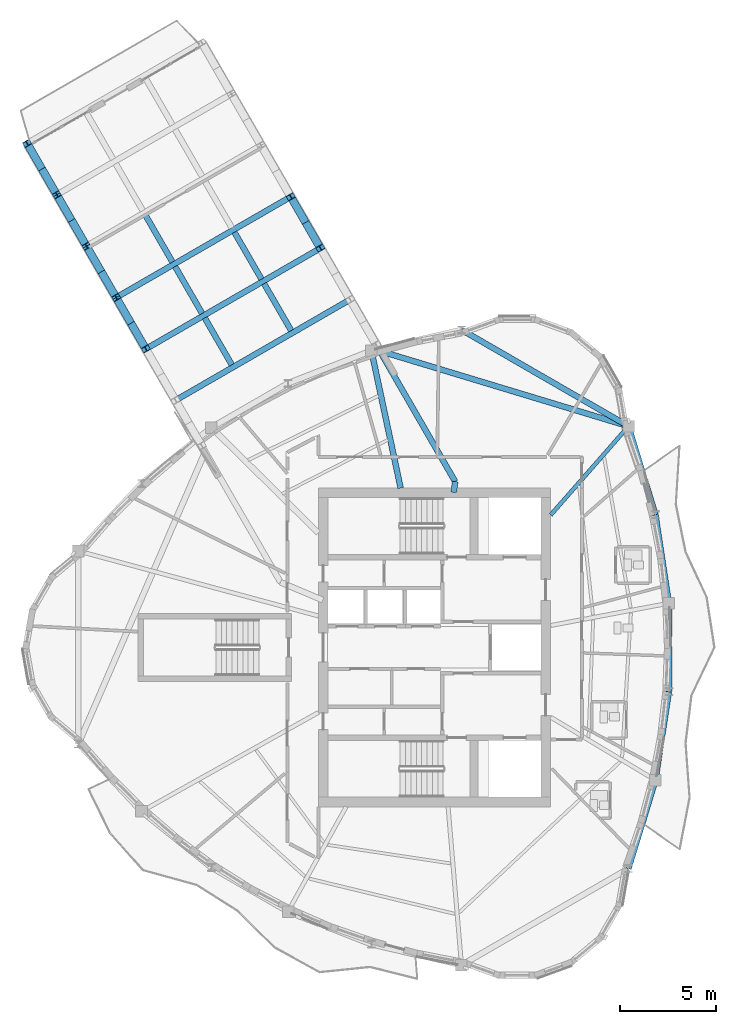
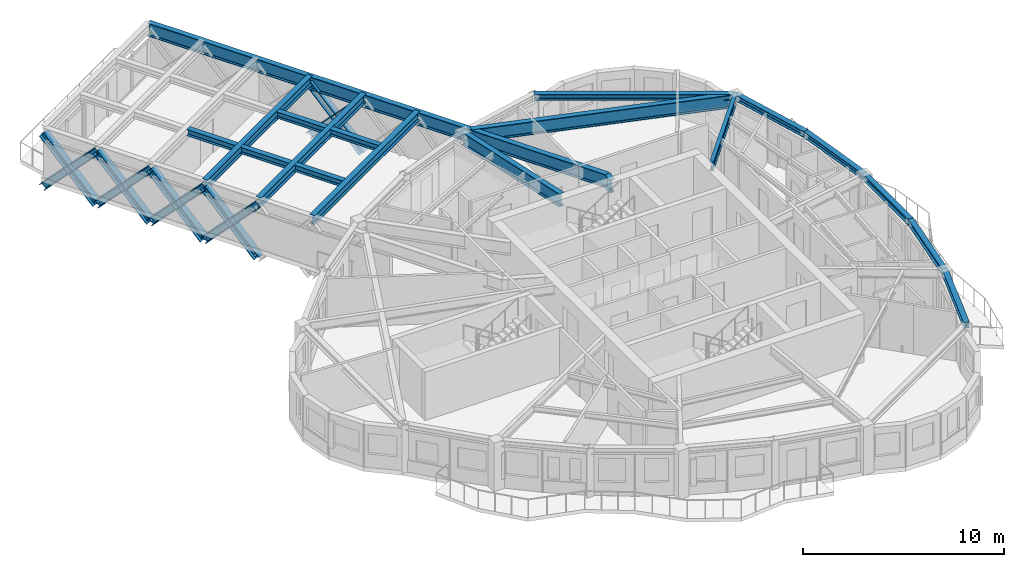
# One storey, part 2 of 14: 19 beams, 10 members.
"""IFC4 building model written with IfcOpenShell, lengths in metres."""

from ifc_helpers import new_model, si_unit, direction, frame, origin, origin_2d, place, context, subcontext, project, spatial, i_section, extrude, source, transform, mapped, material, material_profile, profile_set, type_object, element, save


model = new_model("IFC4")

# Units and contexts
model_context = context("Model", 3, precision=1e-05, world=origin(), true_north=direction((0.0, 1.0)))
body_context = subcontext(model_context, "Body", "Model", "MODEL_VIEW")
ifc_project = project(units=[si_unit("LENGTHUNIT", "METRE"), si_unit("AREAUNIT", "SQUARE_METRE"), si_unit("VOLUMEUNIT", "CUBIC_METRE"), si_unit("PLANEANGLEUNIT", "RADIAN"), si_unit("MASSUNIT", "GRAM", prefix="KILO")], contexts=[model_context])

# Site, building, storey
site_placement = place(None, origin())
site = spatial("IfcSite", under=ifc_project, at=site_placement, CompositionType="ELEMENT")
building_placement = place(site_placement, origin())
building = spatial("IfcBuilding", under=site, at=building_placement, Name="Qafzar Sky-Pleat Residences", CompositionType="ELEMENT")
storey_placement = place(building_placement, frame((0.0, 0.0, 211.60009765625)))
storey = spatial("IfcBuildingStorey", under=building, at=storey_placement, Name="L63", CompositionType="ELEMENT", Elevation=211.60009765625)

# Beams
ifc_material_1 = material(Name="Steel S355", Category="steel")
ifc_material_profile_1 = material_profile(ifc_material_1, i_section(OverallWidth=0.300048828125, OverallDepth=0.360107421875, WebThickness=0.012451171875, FlangeThickness=0.0224609375, FilletRadius=0.027099609375, at=origin_2d()), Name="HEB 360")
ifc_profile_set_1 = profile_set([ifc_material_profile_1], Name="Steel S355")
beam_type_1 = type_object("IfcBeamType", Name="BM-SPAN-HEB360", PredefinedType="SPANDREL", material=ifc_profile_set_1)
shared_shape_1 = source(origin(), body_context, "Body", "SweptSolid", [
    extrude(i_section(OverallWidth=0.300048828125, OverallDepth=0.360107421875, WebThickness=0.012451171875, FlangeThickness=0.0224609375, FilletRadius=0.027099609375, at=origin_2d()), origin(), (0.0, 0.0, 1.0), 10.0458984375),
])
beam_1_placement = place(storey_placement, frame((40.452392578125, 37.5224609375, 2.77783203125), z_axis=(-0.866024107753, 0.500002244785, 0.0), x_axis=(-0.500002244785, -0.866024107753, 0.0)))
element("IfcBeam", 1, at=beam_1_placement, inside=storey, type_object=beam_type_1, Name="L63 Perimeter Spandrel Beam 13", PredefinedType="SPANDREL", context=body_context, shape_type="MappedRepresentation", body=[
    mapped(shared_shape_1, transform((0.0, 0.0, 0.0), x_axis=(1.0, 0.0, 0.0), y_axis=(0.0, 1.0, 0.0), z_axis=(0.0, 0.0, 1.0), scale=1.0)),
])
shared_shape_2 = source(origin(), body_context, "Body", "SweptSolid", [
    extrude(i_section(OverallWidth=0.300048828125, OverallDepth=0.360107421875, WebThickness=0.012451171875, FlangeThickness=0.0224609375, FilletRadius=0.027099609375, at=origin_2d()), origin(), (0.0, 0.0, 1.0), 4.662109375),
])
for number, where, z_axis, x_axis, name in (
    (2, (41.853515625, 19.08642578125, 2.77783203125), (0.150294012462, 0.988641345392, 0.0), (-0.988641345392, 0.150294012462, 0.0), "L63 Perimeter Spandrel Beam 9"),
    (3, (42.55419921875, 28.304443359375, 2.77783203125), (-0.150294012462, 0.988641345392, 0.0), (-0.988641345392, -0.150294012462, 0.0), "L63 Perimeter Spandrel Beam 11"),
):
    element("IfcBeam", number, at=place(storey_placement, frame(where, z_axis=z_axis, x_axis=x_axis)), inside=storey, type_object=beam_type_1, Name=name, PredefinedType="SPANDREL", context=body_context, shape_type="MappedRepresentation", body=[
        mapped(shared_shape_2, transform((0.0, 0.0, 0.0), x_axis=(1.0, 0.0, 0.0), y_axis=(0.0, 1.0, 0.0), z_axis=(0.0, 0.0, 1.0), scale=1.0)),
    ])
shared_shape_3 = source(origin(), body_context, "Body", "SweptSolid", [
    extrude(i_section(OverallWidth=0.300048828125, OverallDepth=0.360107421875, WebThickness=0.012451171875, FlangeThickness=0.0224609375, FilletRadius=0.027099609375, at=origin_2d()), origin(), (0.0, 0.0, 1.0), 4.60888671875),
])
beam_2_placement = place(storey_placement, frame((42.55419921875, 23.695556640625, 2.77783203125), z_axis=(0.0, 1.0, 0.0), x_axis=(-1.0, 0.0, 0.0)))
element("IfcBeam", 4, at=beam_2_placement, inside=storey, type_object=beam_type_1, Name="L63 Perimeter Spandrel Beam 10", PredefinedType="SPANDREL", context=body_context, shape_type="MappedRepresentation", body=[
    mapped(shared_shape_3, transform((0.0, 0.0, 0.0), x_axis=(1.0, 0.0, 0.0), y_axis=(0.0, 1.0, 0.0), z_axis=(0.0, 0.0, 1.0), scale=1.0)),
])
shared_shape_4 = source(origin(), body_context, "Body", "SweptSolid", [
    extrude(i_section(OverallWidth=0.300048828125, OverallDepth=0.360107421875, WebThickness=0.012451171875, FlangeThickness=0.0224609375, FilletRadius=0.027099609375, at=origin_2d()), origin(), (0.0, 0.0, 1.0), 4.817138671875),
])
for number, where, z_axis, x_axis, name in (
    (5, (40.452392578125, 14.4775390625, 2.77783203125), (0.290861107496, 0.956765287908, 0.0), (-0.956765287908, 0.290861107496, 0.0), "L63 Perimeter Spandrel Beam 8"),
    (6, (41.853515625, 32.91357421875, 2.77783203125), (-0.290861107496, 0.956765287908, 0.0), (-0.956765287908, -0.290861107496, 0.0), "L63 Perimeter Spandrel Beam 12"),
):
    element("IfcBeam", number, at=place(storey_placement, frame(where, z_axis=z_axis, x_axis=x_axis)), inside=storey, type_object=beam_type_1, Name=name, PredefinedType="SPANDREL", context=body_context, shape_type="MappedRepresentation", body=[
        mapped(shared_shape_4, transform((0.0, 0.0, 0.0), x_axis=(1.0, 0.0, 0.0), y_axis=(0.0, 1.0, 0.0), z_axis=(0.0, 0.0, 1.0), scale=1.0)),
    ])
ifc_material_profile_2 = material_profile(ifc_material_1, i_section(OverallWidth=0.2099609375, OverallDepth=0.550048828125, WebThickness=0.010986328125, FlangeThickness=0.01708984375, FilletRadius=0.02392578125, at=origin_2d()), Name="IPE 550")
ifc_profile_set_2 = profile_set([ifc_material_profile_2], Name="Steel S355")
beam_type_2 = type_object("IfcBeamType", Name="BM-SEC-IPE550", PredefinedType="BEAM", material=ifc_profile_set_2)
shared_shape_5 = source(origin(), body_context, "Body", "SweptSolid", [
    extrude(i_section(OverallWidth=0.2099609375, OverallDepth=0.550048828125, WebThickness=0.010986328125, FlangeThickness=0.01708984375, FilletRadius=0.02392578125, at=origin_2d()), origin(), (0.0, 0.0, 1.0), 6.14697265625),
])
beam_3_placement = place(storey_placement, frame((40.452392578125, 37.5224609375, 2.682861328125), z_axis=(-0.659257841013, -0.751916949578, 0.0), x_axis=(0.751916949578, -0.659257841013, 0.0)))
element("IfcBeam", 7, at=beam_3_placement, inside=storey, type_object=beam_type_2, Name="L63 Radial Floor Girder 13", PredefinedType="BEAM", context=body_context, shape_type="MappedRepresentation", body=[
    mapped(shared_shape_5, transform((0.0, 0.0, 0.0), x_axis=(1.0, 0.0, 0.0), y_axis=(0.0, 1.0, 0.0), z_axis=(0.0, 0.0, 1.0), scale=1.0)),
])
ifc_material_2 = material(Name="Steel S460", Category="steel")
ifc_material_profile_3 = material_profile(ifc_material_2, i_section(OverallWidth=0.300048828125, OverallDepth=0.800048828125, WebThickness=0.017578125, FlangeThickness=0.032958984375, FilletRadius=0.030029296875, at=origin_2d()), Name="HEB 800")
ifc_profile_set_3 = profile_set([ifc_material_profile_3], Name="Steel S460")
beam_type_3 = type_object("IfcBeamType", Name="BM-CHORD-HEB800", PredefinedType="BEAM", material=ifc_profile_set_3)
shared_shape_6 = source(origin(), body_context, "Body", "SweptSolid", [
    extrude(i_section(OverallWidth=0.300048828125, OverallDepth=0.800048828125, WebThickness=0.017578125, FlangeThickness=0.032958984375, FilletRadius=0.030029296875, at=origin_2d()), origin(), (0.0, 0.0, 1.0), 7.314697265625),
])
beam_4_placement = place(storey_placement, frame((27.060302734375, 41.454345703125, 2.557861328125), z_axis=(0.208206835337, -0.978084819287, 0.0), x_axis=(0.978084819287, 0.208206835337, 0.0)))
element("IfcBeam", 8, at=beam_4_placement, inside=storey, type_object=beam_type_3, Name="L63 Radial Floor Girder 15", PredefinedType="BEAM", context=body_context, shape_type="MappedRepresentation", body=[
    mapped(shared_shape_6, transform((0.0, 0.0, 0.0), x_axis=(1.0, 0.0, 0.0), y_axis=(0.0, 1.0, 0.0), z_axis=(0.0, 0.0, 1.0), scale=1.0)),
])
shared_shape_7 = source(origin(), body_context, "Body", "SweptSolid", [
    extrude(i_section(OverallWidth=0.300048828125, OverallDepth=0.800048828125, WebThickness=0.017578125, FlangeThickness=0.032958984375, FilletRadius=0.030029296875, at=origin_2d()), origin(), (0.0, 0.0, 1.0), 0.5732421875),
])
beam_5_placement = place(storey_placement, frame((31.421630859375, 34.643798828125, 2.555908203125), z_axis=(-0.123091100206, -0.992395375367, 0.0), x_axis=(0.992395375367, -0.123091100206, 0.0)))
element("IfcBeam", 9, at=beam_5_placement, inside=storey, type_object=beam_type_3, Name="L63 SB-5 Core Back-Span Tie Girder R", PredefinedType="BEAM", context=body_context, shape_type="MappedRepresentation", body=[
    mapped(shared_shape_7, transform((0.0, 0.0, 0.0), x_axis=(1.0, 0.0, 0.0), y_axis=(0.0, 1.0, 0.0), z_axis=(0.0, 0.0, 1.0), scale=1.0)),
])
shared_shape_8 = source(origin(), body_context, "Body", "SweptSolid", [
    extrude(i_section(OverallWidth=0.300048828125, OverallDepth=0.800048828125, WebThickness=0.017578125, FlangeThickness=0.032958984375, FilletRadius=0.030029296875, at=origin_2d()), origin(), (0.0, 0.0, 1.0), 26.399169921875),
])
beam_6_placement = place(storey_placement, frame((31.421630859375, 34.643798828125, 2.557861328125), z_axis=(-0.49999730459, 0.866026959975, 0.0), x_axis=(-0.866026959975, -0.49999730459, 0.0)))
element("IfcBeam", 10, at=beam_6_placement, inside=storey, type_object=beam_type_3, Name="L63 SB-5 Truss Chord R1", PredefinedType="BEAM", context=body_context, shape_type="MappedRepresentation", body=[
    mapped(shared_shape_8, transform((0.0, 0.0, 0.0), x_axis=(1.0, 0.0, 0.0), y_axis=(0.0, 1.0, 0.0), z_axis=(0.0, 0.0, 1.0), scale=1.0)),
])
shared_shape_9 = source(origin(), body_context, "Body", "SweptSolid", [
    extrude(i_section(OverallWidth=0.300048828125, OverallDepth=0.800048828125, WebThickness=0.017578125, FlangeThickness=0.032958984375, FilletRadius=0.030029296875, at=origin_2d()), origin(), (0.0, 0.0, 1.0), 13.53564453125),
])
beam_7_placement = place(storey_placement, frame((40.452392578125, 37.5224609375, 2.557861328125), z_axis=(-0.957154009192, 0.289579354732, 0.0), x_axis=(-0.289579354732, -0.957154009192, 0.0)))
element("IfcBeam", 11, at=beam_7_placement, inside=storey, type_object=beam_type_3, Name="L63 SB-5 Wing-Belt Top Chord R", PredefinedType="BEAM", context=body_context, shape_type="MappedRepresentation", body=[
    mapped(shared_shape_9, transform((0.0, 0.0, 0.0), x_axis=(1.0, 0.0, 0.0), y_axis=(0.0, 1.0, 0.0), z_axis=(0.0, 0.0, 1.0), scale=1.0)),
])
ifc_material_profile_4 = material_profile(ifc_material_1, i_section(OverallWidth=0.300048828125, OverallDepth=0.550048828125, WebThickness=0.014892578125, FlangeThickness=0.029052734375, FilletRadius=0.027099609375, at=origin_2d()), Name="HEB 550")
ifc_profile_set_4 = profile_set([ifc_material_profile_4], Name="Steel S355")
beam_type_4 = type_object("IfcBeamType", Name="BM-GIRD-HEB550", PredefinedType="BEAM", material=ifc_profile_set_4)
shared_shape_10 = source(origin(), body_context, "Body", "SweptSolid", [
    extrude(i_section(OverallWidth=0.300048828125, OverallDepth=0.550048828125, WebThickness=0.014892578125, FlangeThickness=0.029052734375, FilletRadius=0.027099609375, at=origin_2d()), origin(), (0.0, 0.0, 1.0), 10.5),
])
for number, where, z_axis, x_axis, name in (
    (12, (16.857666015625, 38.869384765625, 2.68798828125), (0.866025284237, 0.500000207062, 0.0), (-0.500000207062, 0.866025284237, 0.0), "L63 SB-5 Transverse Girder 1"),
    (13, (13.76611328125, 44.22412109375, 2.68798828125), (0.866025284237, 0.500000207062, 0.0), (-0.500000207062, 0.866025284237, 0.0), "L63 SB-5 Transverse Girder 3"),
):
    element("IfcBeam", number, at=place(storey_placement, frame(where, z_axis=z_axis, x_axis=x_axis)), inside=storey, type_object=beam_type_4, Name=name, PredefinedType="BEAM", context=body_context, shape_type="MappedRepresentation", body=[
        mapped(shared_shape_10, transform((0.0, 0.0, 0.0), x_axis=(1.0, 0.0, 0.0), y_axis=(0.0, 1.0, 0.0), z_axis=(0.0, 0.0, 1.0), scale=1.0)),
    ])
shared_shape_11 = source(origin(), body_context, "Body", "SweptSolid", [
    extrude(i_section(OverallWidth=0.300048828125, OverallDepth=0.550048828125, WebThickness=0.014892578125, FlangeThickness=0.029052734375, FilletRadius=0.027099609375, at=origin_2d()), origin(), (0.0, 0.0, 1.0), 10.499755859375),
])
beam_8_placement = place(storey_placement, frame((15.31201171875, 41.546875, 2.68798828125), z_axis=(0.866019471182, 0.500010275428, 0.0), x_axis=(-0.500010275428, 0.866019471182, 0.0)))
element("IfcBeam", 14, at=beam_8_placement, inside=storey, type_object=beam_type_4, Name="L63 SB-5 Transverse Girder 2", PredefinedType="BEAM", context=body_context, shape_type="MappedRepresentation", body=[
    mapped(shared_shape_11, transform((0.0, 0.0, 0.0), x_axis=(1.0, 0.0, 0.0), y_axis=(0.0, 1.0, 0.0), z_axis=(0.0, 0.0, 1.0), scale=1.0)),
])
ifc_material_profile_5 = material_profile(ifc_material_1, i_section(OverallWidth=0.300048828125, OverallDepth=0.389892578125, WebThickness=0.010986328125, FlangeThickness=0.01904296875, FilletRadius=0.027099609375, at=origin_2d()), Name="HEA 400")
ifc_profile_set_5 = profile_set([ifc_material_profile_5], Name="Steel S355")
beam_type_5 = type_object("IfcBeamType", Name="BM-SBJ-HEA400", PredefinedType="JOIST", material=ifc_profile_set_5)
shared_shape_12 = source(origin(), body_context, "Body", "SweptSolid", [
    extrude(i_section(OverallWidth=0.300048828125, OverallDepth=0.389892578125, WebThickness=0.010986328125, FlangeThickness=0.01904296875, FilletRadius=0.027099609375, at=origin_2d()), origin(), (0.0, 0.0, 1.0), 2.821533203125),
])
for number, where, z_axis, x_axis, name in (
    (15, (22.882568359375, 42.50390625, 2.767822265625), (-0.499954647489, 0.866051586486, 0.0), (-0.866051586486, -0.499954647489, 0.0), "L63 SB-5 Sky-Bar Secondary Deck Joist 2.1"),
    (16, (19.791015625, 40.718994140625, 2.767822265625), (-0.500057011773, 0.86599248552, 0.0), (-0.86599248552, -0.500057011773, 0.0), "L63 SB-5 Sky-Bar Secondary Deck Joist 2.2"),
):
    element("IfcBeam", number, at=place(storey_placement, frame(where, z_axis=z_axis, x_axis=x_axis)), inside=storey, type_object=beam_type_5, Name=name, PredefinedType="JOIST", context=body_context, shape_type="MappedRepresentation", body=[
        mapped(shared_shape_12, transform((0.0, 0.0, 0.0), x_axis=(1.0, 0.0, 0.0), y_axis=(0.0, 1.0, 0.0), z_axis=(0.0, 0.0, 1.0), scale=1.0)),
    ])
shared_shape_13 = source(origin(), body_context, "Body", "SweptSolid", [
    extrude(i_section(OverallWidth=0.300048828125, OverallDepth=0.389892578125, WebThickness=0.010986328125, FlangeThickness=0.01904296875, FilletRadius=0.027099609375, at=origin_2d()), origin(), (0.0, 0.0, 1.0), 2.82177734375),
])
beam_9_placement = place(storey_placement, frame((21.3369140625, 45.18115234375, 2.767822265625), z_axis=(-0.500019542665, 0.866014120528, 0.0), x_axis=(-0.866014120528, -0.500019542665, 0.0)))
element("IfcBeam", 17, at=beam_9_placement, inside=storey, type_object=beam_type_5, Name="L63 SB-5 Sky-Bar Secondary Deck Joist 3.1", PredefinedType="JOIST", context=body_context, shape_type="MappedRepresentation", body=[
    mapped(shared_shape_13, transform((0.0, 0.0, 0.0), x_axis=(1.0, 0.0, 0.0), y_axis=(0.0, 1.0, 0.0), z_axis=(0.0, 0.0, 1.0), scale=1.0)),
])
shared_shape_14 = source(origin(), body_context, "Body", "SweptSolid", [
    extrude(i_section(OverallWidth=0.300048828125, OverallDepth=0.389892578125, WebThickness=0.010986328125, FlangeThickness=0.01904296875, FilletRadius=0.027099609375, at=origin_2d()), origin(), (0.0, 0.0, 1.0), 2.8212890625),
])
for number, where, z_axis, x_axis, name in (
    (18, (18.2451171875, 43.396240234375, 2.767822265625), (-0.499992114976, 0.866029956157, 0.0), (-0.866029956157, -0.499992114976, 0.0), "L63 SB-5 Sky-Bar Secondary Deck Joist 3.2"),
    (19, (16.699462890625, 46.073486328125, 2.767822265625), (-0.499992114976, 0.866029956157, 0.0), (-0.866029956157, -0.499992114976, 0.0), "L63 SB-5 Sky-Bar Secondary Deck Joist 4.2"),
):
    element("IfcBeam", number, at=place(storey_placement, frame(where, z_axis=z_axis, x_axis=x_axis)), inside=storey, type_object=beam_type_5, Name=name, PredefinedType="JOIST", context=body_context, shape_type="MappedRepresentation", body=[
        mapped(shared_shape_14, transform((0.0, 0.0, 0.0), x_axis=(1.0, 0.0, 0.0), y_axis=(0.0, 1.0, 0.0), z_axis=(0.0, 0.0, 1.0), scale=1.0)),
    ])

# Members
ifc_material_profile_6 = material_profile(ifc_material_2, i_section(OverallWidth=0.40087890625, OverallDepth=0.39892578125, WebThickness=0.02294921875, FlangeThickness=0.035888671875, FilletRadius=0.014892578125, at=origin_2d()), Name="HD 400x314")
ifc_profile_set_6 = profile_set([ifc_material_profile_6], Name="Steel S460")
member_type = type_object("IfcMemberType", Name="MEM-SB-DIAG", PredefinedType="BRACE", material=ifc_profile_set_6)
shared_shape_15 = source(origin(), body_context, "Body", "SweptSolid", [
    extrude(i_section(OverallWidth=0.40087890625, OverallDepth=0.39892578125, WebThickness=0.02294921875, FlangeThickness=0.035888671875, FilletRadius=0.014892578125, at=origin_2d()), origin(), (0.0, 0.0, 1.0), 4.46728515625),
])
for number, where, z_axis, x_axis, name in (
    (20, (15.31201171875, 41.546875, -0.6669921875), (-0.346044481579, 0.599293080385, 0.721873271822), (-0.865998834389, -0.50004601672, 0.0), "L63 SB-5 Truss Web Diagonal L3A"),
    (21, (15.31201171875, 41.546875, 2.557861328125), (-0.346044481579, 0.599293080385, -0.721873271822), (-0.865998834389, -0.50004601672, 0.0), "L63 SB-5 Truss Web Diagonal L3B"),
    (22, (13.76611328125, 44.22412109375, -0.6669921875), (-0.345996374282, 0.599304413263, 0.721886922743), (-0.86603303137, -0.499986788401, 0.0), "L63 SB-5 Truss Web Diagonal L4A"),
    (23, (13.76611328125, 44.22412109375, 2.557861328125), (-0.345996374282, 0.599304413263, -0.721886922743), (-0.86603303137, -0.499986788401, 0.0), "L63 SB-5 Truss Web Diagonal L4B"),
    (24, (12.220458984375, 46.9013671875, -0.6669921875), (-0.345996374282, 0.599304413263, 0.721886922743), (-0.86603303137, -0.499986788401, 0.0), "L63 SB-5 Truss Web Diagonal L5A"),
    (25, (12.220458984375, 46.9013671875, 2.557861328125), (-0.345996374282, 0.599304413263, -0.721886922743), (-0.86603303137, -0.499986788401, 0.0), "L63 SB-5 Truss Web Diagonal L5B"),
    (26, (24.405029296875, 46.796875, -0.6669921875), (-0.345996374282, 0.599304413263, 0.721886922743), (-0.86603303137, -0.499986788401, 0.0), "L63 SB-5 Truss Web Diagonal R3A"),
    (27, (24.405029296875, 46.796875, 2.557861328125), (-0.345996374282, 0.599304413263, -0.721886922743), (-0.86603303137, -0.499986788401, 0.0), "L63 SB-5 Truss Web Diagonal R3B"),
):
    element("IfcMember", number, at=place(storey_placement, frame(where, z_axis=z_axis, x_axis=x_axis)), inside=storey, type_object=member_type, Name=name, PredefinedType="BRACE", context=body_context, shape_type="MappedRepresentation", body=[
        mapped(shared_shape_15, transform((0.0, 0.0, 0.0), x_axis=(1.0, 0.0, 0.0), y_axis=(0.0, 1.0, 0.0), z_axis=(0.0, 0.0, 1.0), scale=1.0)),
    ])
shared_shape_16 = source(origin(), body_context, "Body", "SweptSolid", [
    extrude(i_section(OverallWidth=0.40087890625, OverallDepth=0.39892578125, WebThickness=0.02294921875, FlangeThickness=0.035888671875, FilletRadius=0.014892578125, at=origin_2d()), origin(), (0.0, 0.0, 1.0), 4.467529296875),
])
for number, where, z_axis, x_axis, name in (
    (28, (10.6748046875, 49.57861328125, -0.6669921875), (-0.346033148167, 0.599328101066, 0.721849629523), (-0.866018578812, -0.500011821012, 0.0), "L63 SB-5 Truss Web Diagonal L6A"),
    (29, (10.6748046875, 49.57861328125, 2.557861328125), (-0.346033148167, 0.599328101066, -0.721849629523), (-0.866018578812, -0.500011821012, 0.0), "L63 SB-5 Truss Web Diagonal L6B"),
):
    element("IfcMember", number, at=place(storey_placement, frame(where, z_axis=z_axis, x_axis=x_axis)), inside=storey, type_object=member_type, Name=name, PredefinedType="BRACE", context=body_context, shape_type="MappedRepresentation", body=[
        mapped(shared_shape_16, transform((0.0, 0.0, 0.0), x_axis=(1.0, 0.0, 0.0), y_axis=(0.0, 1.0, 0.0), z_axis=(0.0, 0.0, 1.0), scale=1.0)),
    ])

save(model, "model.ifc")
